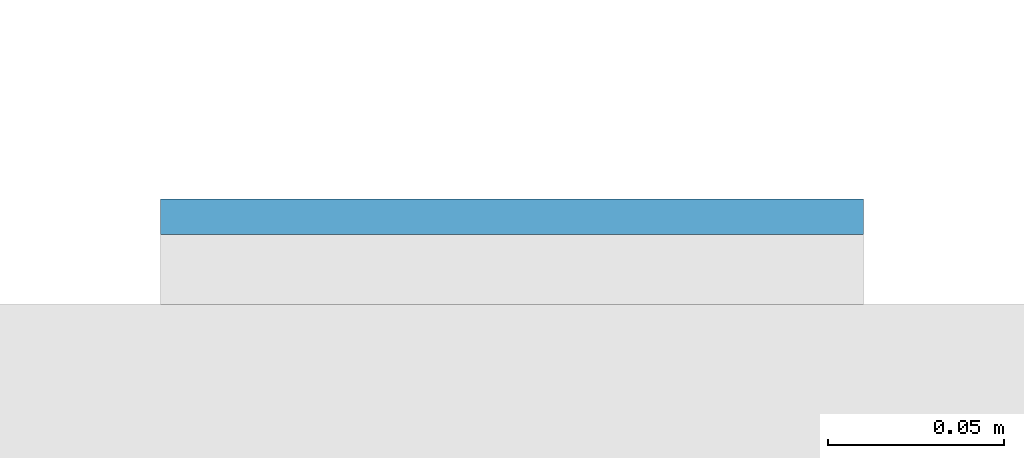
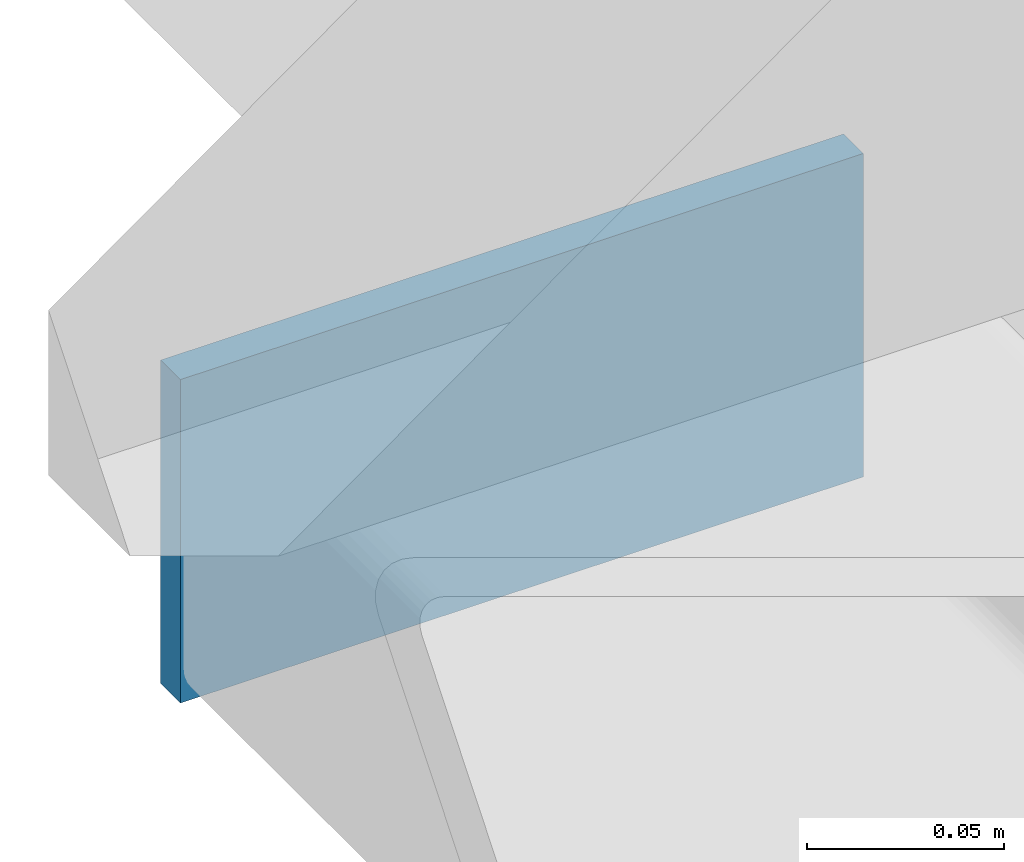
# One storey, part 9 of 20: 1 plate.
"""IFC4 building model written with IfcOpenShell, lengths in metres."""

from ifc_helpers import new_model, si_unit, direction, frame, origin, origin_2d, place, context, subcontext, project, spatial, rectangle, extrude, material, layer, layer_set, type_object, element, save


model = new_model("IFC4")

# Units and contexts
model_context = context("Model", 3, precision=1e-05, world=origin(), true_north=direction((0.0, 1.0)))
body_context = subcontext(model_context, "Body", "Model", "MODEL_VIEW")
ifc_project = project(units=[si_unit("LENGTHUNIT", "METRE"), si_unit("AREAUNIT", "SQUARE_METRE"), si_unit("VOLUMEUNIT", "CUBIC_METRE"), si_unit("PLANEANGLEUNIT", "RADIAN"), si_unit("MASSUNIT", "GRAM", prefix="KILO")], contexts=[model_context])

# Site, building, storey
site_placement = place(None, origin())
site = spatial("IfcSite", under=ifc_project, at=site_placement, CompositionType="ELEMENT")
building_placement = place(site_placement, origin())
building = spatial("IfcBuilding", under=site, at=building_placement, Name="Cleftline Residences", CompositionType="ELEMENT")
storey_placement = place(building_placement, frame((0.0, 0.0, 143.0)))
storey = spatial("IfcBuildingStorey", under=building, at=storey_placement, Name="L37", CompositionType="ELEMENT", Elevation=143.0)

# Plate
ifc_material = material(Name="Steel S355, hot-dip galvanised", Category="steel")
ifc_layer = layer(ifc_material, 0.010009765625)
ifc_layer_set = layer_set([ifc_layer], Name="BAGUETTE CARRIER END PLATE 200X100X10")
plate_type = type_object("IfcPlateType", Name="BAGUETTE CARRIER END PLATE 200X100X10", PredefinedType="USERDEFINED", material=ifc_layer_set)
plate_placement = place(storey_placement, frame((-0.85009765625, 44.304931640625, -0.10009765625), z_axis=(0.0, 0.0, 1.0), x_axis=(-1.0, 0.0, 0.0)))
element("IfcPlate", 1, at=plate_placement, inside=storey, type_object=plate_type, Name="Baguette carrier end plate", ObjectType="BAGUETTE CARRIER END PLATE", PredefinedType="USERDEFINED", context=body_context, shape_type="SweptSolid", body=[
    extrude(rectangle(XDim=0.199951171875, YDim=0.010009765625, at=origin_2d()), origin(), (0.0, 0.0, 1.0), 0.10009765625),
])

save(model, "model.ifc")
